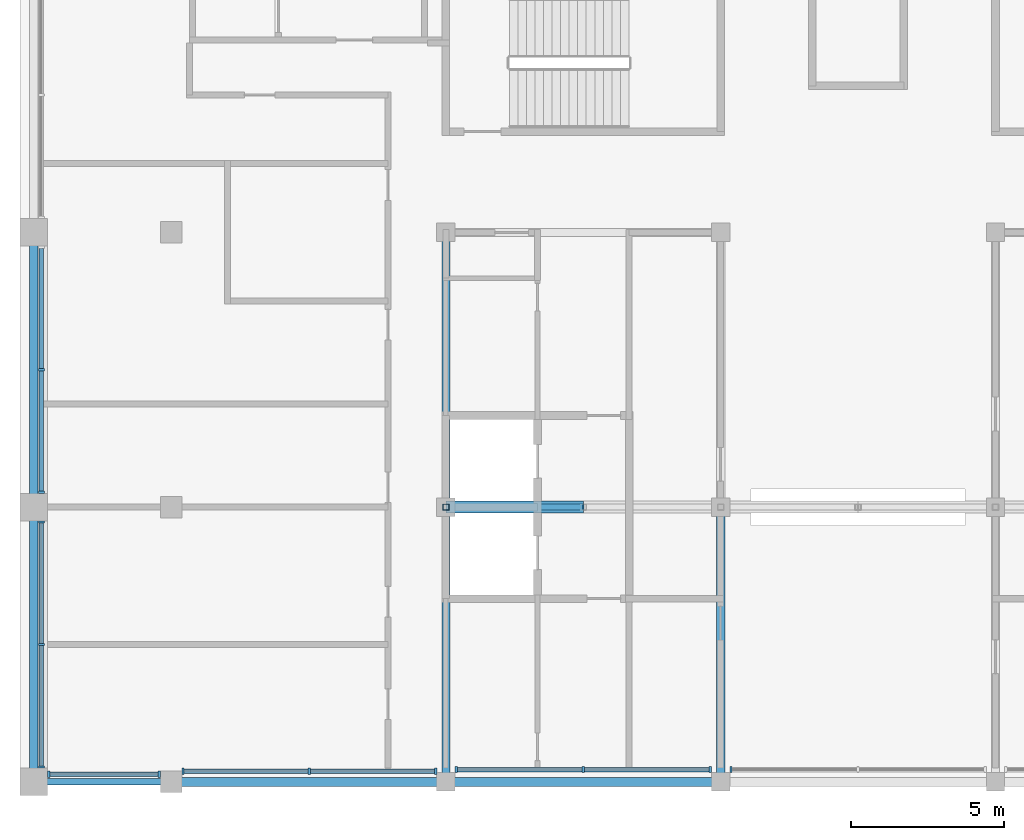
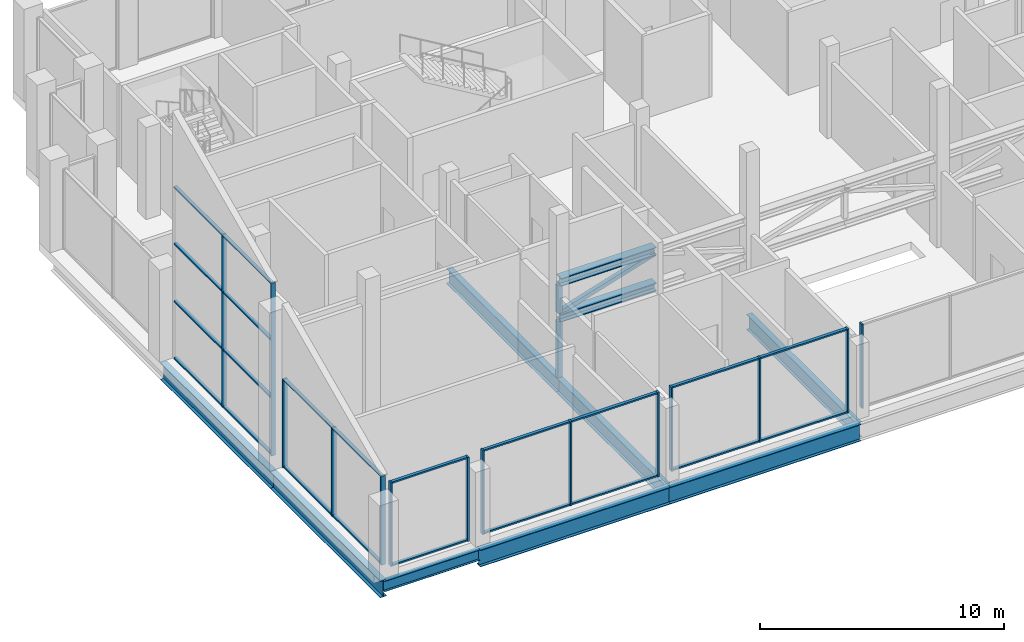
# One storey, part 2 of 14: 41 members, 8 beams, 6 elements without a shape of their own.
"""IFC4 building model written with IfcOpenShell, lengths in metres."""

from ifc_helpers import new_model, si_unit, direction, frame, origin, origin_2d, place, context, subcontext, project, spatial, rectangle, hollow_rectangle, i_section, extrude, material, layer, layer_set, material_profile, profile_set, type_object, element, aggregate, save


model = new_model("IFC4")

# Units and contexts
model_context = context("Model", 3, precision=1e-05, world=origin(), true_north=direction((0.0, 1.0)))
body_context = subcontext(model_context, "Body", "Model", "MODEL_VIEW")
ifc_project = project(units=[si_unit("LENGTHUNIT", "METRE"), si_unit("AREAUNIT", "SQUARE_METRE"), si_unit("VOLUMEUNIT", "CUBIC_METRE"), si_unit("PLANEANGLEUNIT", "RADIAN"), si_unit("MASSUNIT", "GRAM", prefix="KILO")], contexts=[model_context])

# Site, building, storey
site_placement = place(None, origin())
site = spatial("IfcSite", under=ifc_project, at=site_placement, CompositionType="ELEMENT")
building_placement = place(site_placement, origin())
building = spatial("IfcBuilding", under=site, at=building_placement, Name="Corbelhall Arena Tower", CompositionType="ELEMENT")
storey_placement = place(building_placement, frame((0.0, 0.0, 376.0)))
storey = spatial("IfcBuildingStorey", under=building, at=storey_placement, Name="L81", CompositionType="ELEMENT", Elevation=376.0)

# Curtain wall, members
ifc_material_1 = material(Name="Aluminium black anodised", Category="aluminium")
ifc_layer = layer(ifc_material_1, 0.179931640625)
ifc_layer_set = layer_set([ifc_layer], Name="EV-CW3 Crown glazing")
curtain_wall_type = type_object("IfcCurtainWallType", Name="EV-CW3 Crown glazing", PredefinedType="NOTDEFINED", material=ifc_layer_set)
curtain_wall_1_placement = place(storey_placement, origin())
curtain_wall_1 = element("IfcCurtainWall", 1, at=curtain_wall_1_placement, inside=storey, type_object=curtain_wall_type, Name="Curtain wall CW3G", PredefinedType="NOTDEFINED")
ifc_material_profile_1 = material_profile(ifc_material_1, rectangle(XDim=0.199951171875, YDim=0.074951171875, at=origin_2d()))
ifc_profile_set_1 = profile_set([ifc_material_profile_1], Name="Aluminium black anodised")
member_type_1 = type_object("IfcMemberType", Name="EV-CW3-MULLION", PredefinedType="MULLION", material=ifc_profile_set_1)
member_1_placement = place(storey_placement, frame((-26.75, 4.5, 0.0), z_axis=(0.0, 0.0, 1.0), x_axis=(1.0, 0.0, 0.0)))
member_1 = element("IfcMember", 2, at=member_1_placement, type_object=member_type_1, Name="CW3G mullion 2", PredefinedType="MULLION", context=body_context, shape_type="SweptSolid", body=[
    extrude(rectangle(XDim=0.199951171875, YDim=0.074951171875, at=origin_2d()), origin(), (0.0, 0.0, 1.0), 8.633056640625),
])
member_2_placement = place(storey_placement, frame((-26.75, 0.487548828125, 0.0), z_axis=(0.0, 0.0, 1.0), x_axis=(1.0, 0.0, 0.0)))
member_2 = element("IfcMember", 3, at=member_2_placement, type_object=member_type_1, Name="CW3G mullion 3", PredefinedType="MULLION", context=body_context, shape_type="SweptSolid", body=[
    extrude(rectangle(XDim=0.199951171875, YDim=0.074951171875, at=origin_2d()), origin(), (0.0, 0.0, 1.0), 8.633056640625),
])

curtain_wall_2_placement = place(storey_placement, origin())
curtain_wall_2 = element("IfcCurtainWall", 4, at=curtain_wall_2_placement, inside=storey, type_object=curtain_wall_type, Name="Curtain wall CW3F", PredefinedType="NOTDEFINED")
member_3_placement = place(storey_placement, frame((-26.75, -0.487548828125, 0.0), z_axis=(0.0, 0.0, 1.0), x_axis=(1.0, 0.0, 0.0)))
member_3 = element("IfcMember", 5, at=member_3_placement, type_object=member_type_1, Name="CW3F mullion 1", PredefinedType="MULLION", context=body_context, shape_type="SweptSolid", body=[
    extrude(rectangle(XDim=0.199951171875, YDim=0.074951171875, at=origin_2d()), origin(), (0.0, 0.0, 1.0), 4.439453125),
])
member_4_placement = place(storey_placement, frame((-26.75, -4.5, 0.0), z_axis=(0.0, 0.0, 1.0), x_axis=(1.0, 0.0, 0.0)))
member_4 = element("IfcMember", 6, at=member_4_placement, type_object=member_type_1, Name="CW3F mullion 2", PredefinedType="MULLION", context=body_context, shape_type="SweptSolid", body=[
    extrude(rectangle(XDim=0.199951171875, YDim=0.074951171875, at=origin_2d()), origin(), (0.0, 0.0, 1.0), 4.439453125),
])
member_5_placement = place(storey_placement, frame((-26.75, -8.512451171875, 0.0), z_axis=(0.0, 0.0, 1.0), x_axis=(1.0, 0.0, 0.0)))
member_5 = element("IfcMember", 7, at=member_5_placement, type_object=member_type_1, Name="CW3F mullion 3", PredefinedType="MULLION", context=body_context, shape_type="SweptSolid", body=[
    extrude(rectangle(XDim=0.199951171875, YDim=0.074951171875, at=origin_2d()), origin(), (0.0, 0.0, 1.0), 4.439453125),
])

curtain_wall_3_placement = place(storey_placement, origin())
curtain_wall_3 = element("IfcCurtainWall", 8, at=curtain_wall_3_placement, inside=storey, type_object=curtain_wall_type, Name="Curtain wall CW3E", PredefinedType="NOTDEFINED")
member_6_placement = place(storey_placement, frame((-26.512451171875, -8.75, 0.0), z_axis=(0.0, 0.0, 1.0), x_axis=(0.0, 1.0, 0.0)))
member_6 = element("IfcMember", 9, at=member_6_placement, type_object=member_type_1, Name="CW3E mullion 1", PredefinedType="MULLION", context=body_context, shape_type="SweptSolid", body=[
    extrude(rectangle(XDim=0.199951171875, YDim=0.074951171875, at=origin_2d()), origin(), (0.0, 0.0, 1.0), 4.20654296875),
])
member_7_placement = place(storey_placement, frame((-22.887451171875, -8.75, 0.0), z_axis=(0.0, 0.0, 1.0), x_axis=(0.0, 1.0, 0.0)))
member_7 = element("IfcMember", 10, at=member_7_placement, type_object=member_type_1, Name="CW3E mullion 2", PredefinedType="MULLION", context=body_context, shape_type="SweptSolid", body=[
    extrude(rectangle(XDim=0.199951171875, YDim=0.074951171875, at=origin_2d()), origin(), (0.0, 0.0, 1.0), 4.20654296875),
])

curtain_wall_4_placement = place(storey_placement, origin())
curtain_wall_4 = element("IfcCurtainWall", 11, at=curtain_wall_4_placement, inside=storey, type_object=curtain_wall_type, Name="Curtain wall CW3H", PredefinedType="NOTDEFINED")
member_8_placement = place(storey_placement, frame((-22.112548828125, -8.64990234375, 0.0), z_axis=(0.0, 0.0, 1.0), x_axis=(0.0, 1.0, 0.0)))
member_8 = element("IfcMember", 12, at=member_8_placement, type_object=member_type_1, Name="CW3H mullion 1", PredefinedType="MULLION", context=body_context, shape_type="SweptSolid", body=[
    extrude(rectangle(XDim=0.199951171875, YDim=0.074951171875, at=origin_2d()), origin(), (0.0, 0.0, 1.0), 4.20654296875),
])
member_9_placement = place(storey_placement, frame((-17.97509765625, -8.64990234375, 0.0), z_axis=(0.0, 0.0, 1.0), x_axis=(0.0, 1.0, 0.0)))
member_9 = element("IfcMember", 13, at=member_9_placement, type_object=member_type_1, Name="CW3H mullion 2", PredefinedType="MULLION", context=body_context, shape_type="SweptSolid", body=[
    extrude(rectangle(XDim=0.199951171875, YDim=0.074951171875, at=origin_2d()), origin(), (0.0, 0.0, 1.0), 4.20654296875),
])
member_10_placement = place(storey_placement, frame((-13.83740234375, -8.64990234375, 0.0), z_axis=(0.0, 0.0, 1.0), x_axis=(0.0, 1.0, 0.0)))
member_10 = element("IfcMember", 14, at=member_10_placement, type_object=member_type_1, Name="CW3H mullion 3", PredefinedType="MULLION", context=body_context, shape_type="SweptSolid", body=[
    extrude(rectangle(XDim=0.199951171875, YDim=0.074951171875, at=origin_2d()), origin(), (0.0, 0.0, 1.0), 4.20654296875),
])

curtain_wall_5_placement = place(storey_placement, origin())
curtain_wall_5 = element("IfcCurtainWall", 15, at=curtain_wall_5_placement, inside=storey, type_object=curtain_wall_type, Name="Curtain wall CW3D", PredefinedType="NOTDEFINED")
member_11_placement = place(storey_placement, frame((-13.16259765625, -8.60009765625, 0.0), z_axis=(0.0, 0.0, 1.0), x_axis=(0.0, 1.0, 0.0)))
member_11 = element("IfcMember", 16, at=member_11_placement, type_object=member_type_1, Name="CW3D mullion 1", PredefinedType="MULLION", context=body_context, shape_type="SweptSolid", body=[
    extrude(rectangle(XDim=0.199951171875, YDim=0.074951171875, at=origin_2d()), origin(), (0.0, 0.0, 1.0), 4.20654296875),
])
member_12_placement = place(storey_placement, frame((-9.0, -8.60009765625, 0.0), z_axis=(0.0, 0.0, 1.0), x_axis=(0.0, 1.0, 0.0)))
member_12 = element("IfcMember", 17, at=member_12_placement, type_object=member_type_1, Name="CW3D mullion 2", PredefinedType="MULLION", context=body_context, shape_type="SweptSolid", body=[
    extrude(rectangle(XDim=0.199951171875, YDim=0.074951171875, at=origin_2d()), origin(), (0.0, 0.0, 1.0), 4.20654296875),
])
member_13_placement = place(storey_placement, frame((-4.83740234375, -8.60009765625, 0.0), z_axis=(0.0, 0.0, 1.0), x_axis=(0.0, 1.0, 0.0)))
member_13 = element("IfcMember", 18, at=member_13_placement, type_object=member_type_1, Name="CW3D mullion 3", PredefinedType="MULLION", context=body_context, shape_type="SweptSolid", body=[
    extrude(rectangle(XDim=0.199951171875, YDim=0.074951171875, at=origin_2d()), origin(), (0.0, 0.0, 1.0), 4.20654296875),
])

# Curtain wall, member
curtain_wall_6_placement = place(storey_placement, origin())
curtain_wall_6 = element("IfcCurtainWall", 19, at=curtain_wall_6_placement, inside=storey, type_object=curtain_wall_type, Name="Curtain wall CW3D", PredefinedType="NOTDEFINED")
member_14_placement = place(storey_placement, frame((-4.16259765625, -8.60009765625, 0.0), z_axis=(0.0, 0.0, 1.0), x_axis=(0.0, 1.0, 0.0)))
member_14 = element("IfcMember", 20, at=member_14_placement, type_object=member_type_1, Name="CW3D mullion 1", PredefinedType="MULLION", context=body_context, shape_type="SweptSolid", body=[
    extrude(rectangle(XDim=0.199951171875, YDim=0.074951171875, at=origin_2d()), origin(), (0.0, 0.0, 1.0), 4.20654296875),
])
aggregate(curtain_wall_6, [member_14])

# Member
ifc_material_profile_2 = material_profile(ifc_material_1, rectangle(XDim=0.14990234375, YDim=0.074951171875, at=origin_2d()))
ifc_profile_set_2 = profile_set([ifc_material_profile_2], Name="Aluminium black anodised")
member_type_2 = type_object("IfcMemberType", Name="EV-CW3-TRANSOM", PredefinedType="USERDEFINED", material=ifc_profile_set_2)
member_15_placement = place(storey_placement, frame((-26.75, 8.47509765625, 0.03759765625), z_axis=(0.0, -1.0, 0.0), x_axis=(1.0, 0.0, 0.0)))
member_15 = element("IfcMember", 21, at=member_15_placement, type_object=member_type_2, Name="CW3G transom 1.1", ObjectType="transom", PredefinedType="USERDEFINED", context=body_context, shape_type="SweptSolid", body=[
    extrude(rectangle(XDim=0.14990234375, YDim=0.074951171875, at=origin_2d()), origin(), (0.0, 0.0, 1.0), 3.9375),
])

member_16_placement = place(storey_placement, frame((-26.75, 8.47509765625, 2.877685546875), z_axis=(0.0, -1.0, 0.0), x_axis=(1.0, 0.0, 0.0)))
member_16 = element("IfcMember", 22, at=member_16_placement, type_object=member_type_2, Name="CW3G transom 1.2", ObjectType="transom", PredefinedType="USERDEFINED", context=body_context, shape_type="SweptSolid", body=[
    extrude(rectangle(XDim=0.14990234375, YDim=0.074951171875, at=origin_2d()), origin(), (0.0, 0.0, 1.0), 3.9375),
])

member_17_placement = place(storey_placement, frame((-26.75, 8.47509765625, 5.75537109375), z_axis=(0.0, -1.0, 0.0), x_axis=(1.0, 0.0, 0.0)))
member_17 = element("IfcMember", 23, at=member_17_placement, type_object=member_type_2, Name="CW3G transom 1.3", ObjectType="transom", PredefinedType="USERDEFINED", context=body_context, shape_type="SweptSolid", body=[
    extrude(rectangle(XDim=0.14990234375, YDim=0.074951171875, at=origin_2d()), origin(), (0.0, 0.0, 1.0), 3.9375),
])

member_18_placement = place(storey_placement, frame((-26.75, 8.47509765625, 8.595458984375), z_axis=(0.0, -1.0, 0.0), x_axis=(1.0, 0.0, 0.0)))
member_18 = element("IfcMember", 24, at=member_18_placement, type_object=member_type_2, Name="CW3G transom 1.4", ObjectType="transom", PredefinedType="USERDEFINED", context=body_context, shape_type="SweptSolid", body=[
    extrude(rectangle(XDim=0.14990234375, YDim=0.074951171875, at=origin_2d()), origin(), (0.0, 0.0, 1.0), 3.9375),
])

member_19_placement = place(storey_placement, frame((-26.75, 4.46240234375, 0.03759765625), z_axis=(0.0, -1.0, 0.0), x_axis=(1.0, 0.0, 0.0)))
member_19 = element("IfcMember", 25, at=member_19_placement, type_object=member_type_2, Name="CW3G transom 2.1", ObjectType="transom", PredefinedType="USERDEFINED", context=body_context, shape_type="SweptSolid", body=[
    extrude(rectangle(XDim=0.14990234375, YDim=0.074951171875, at=origin_2d()), origin(), (0.0, 0.0, 1.0), 3.9375),
])

member_20_placement = place(storey_placement, frame((-26.75, 4.46240234375, 2.877685546875), z_axis=(0.0, -1.0, 0.0), x_axis=(1.0, 0.0, 0.0)))
member_20 = element("IfcMember", 26, at=member_20_placement, type_object=member_type_2, Name="CW3G transom 2.2", ObjectType="transom", PredefinedType="USERDEFINED", context=body_context, shape_type="SweptSolid", body=[
    extrude(rectangle(XDim=0.14990234375, YDim=0.074951171875, at=origin_2d()), origin(), (0.0, 0.0, 1.0), 3.9375),
])

member_21_placement = place(storey_placement, frame((-26.75, 4.46240234375, 5.75537109375), z_axis=(0.0, -1.0, 0.0), x_axis=(1.0, 0.0, 0.0)))
member_21 = element("IfcMember", 27, at=member_21_placement, type_object=member_type_2, Name="CW3G transom 2.3", ObjectType="transom", PredefinedType="USERDEFINED", context=body_context, shape_type="SweptSolid", body=[
    extrude(rectangle(XDim=0.14990234375, YDim=0.074951171875, at=origin_2d()), origin(), (0.0, 0.0, 1.0), 3.9375),
])

member_22_placement = place(storey_placement, frame((-26.75, 4.46240234375, 8.595458984375), z_axis=(0.0, -1.0, 0.0), x_axis=(1.0, 0.0, 0.0)))
member_22 = element("IfcMember", 28, at=member_22_placement, type_object=member_type_2, Name="CW3G transom 2.4", ObjectType="transom", PredefinedType="USERDEFINED", context=body_context, shape_type="SweptSolid", body=[
    extrude(rectangle(XDim=0.14990234375, YDim=0.074951171875, at=origin_2d()), origin(), (0.0, 0.0, 1.0), 3.9375),
])

aggregate(curtain_wall_1, [member_1, member_2, member_15, member_16, member_17, member_18, member_19, member_20, member_21, member_22])

member_23_placement = place(storey_placement, frame((-26.75, -0.52490234375, 0.03759765625), z_axis=(0.0, -1.0, 0.0), x_axis=(1.0, 0.0, 0.0)))
member_23 = element("IfcMember", 29, at=member_23_placement, type_object=member_type_2, Name="CW3F transom 1.1", ObjectType="transom", PredefinedType="USERDEFINED", context=body_context, shape_type="SweptSolid", body=[
    extrude(rectangle(XDim=0.14990234375, YDim=0.074951171875, at=origin_2d()), origin(), (0.0, 0.0, 1.0), 3.9375),
])

member_24_placement = place(storey_placement, frame((-26.75, -0.52490234375, 4.40185546875), z_axis=(0.0, -1.0, 0.0), x_axis=(1.0, 0.0, 0.0)))
member_24 = element("IfcMember", 30, at=member_24_placement, type_object=member_type_2, Name="CW3F transom 1.2", ObjectType="transom", PredefinedType="USERDEFINED", context=body_context, shape_type="SweptSolid", body=[
    extrude(rectangle(XDim=0.14990234375, YDim=0.074951171875, at=origin_2d()), origin(), (0.0, 0.0, 1.0), 3.9375),
])

member_25_placement = place(storey_placement, frame((-26.75, -4.53759765625, 0.03759765625), z_axis=(0.0, -1.0, 0.0), x_axis=(1.0, 0.0, 0.0)))
member_25 = element("IfcMember", 31, at=member_25_placement, type_object=member_type_2, Name="CW3F transom 2.1", ObjectType="transom", PredefinedType="USERDEFINED", context=body_context, shape_type="SweptSolid", body=[
    extrude(rectangle(XDim=0.14990234375, YDim=0.074951171875, at=origin_2d()), origin(), (0.0, 0.0, 1.0), 3.9375),
])

member_26_placement = place(storey_placement, frame((-26.75, -4.53759765625, 4.40185546875), z_axis=(0.0, -1.0, 0.0), x_axis=(1.0, 0.0, 0.0)))
member_26 = element("IfcMember", 32, at=member_26_placement, type_object=member_type_2, Name="CW3F transom 2.2", ObjectType="transom", PredefinedType="USERDEFINED", context=body_context, shape_type="SweptSolid", body=[
    extrude(rectangle(XDim=0.14990234375, YDim=0.074951171875, at=origin_2d()), origin(), (0.0, 0.0, 1.0), 3.9375),
])

aggregate(curtain_wall_2, [member_3, member_4, member_5, member_23, member_24, member_25, member_26])

member_27_placement = place(storey_placement, frame((-26.47509765625, -8.75, 0.03759765625), z_axis=(1.0, 0.0, 0.0), x_axis=(0.0, 1.0, 0.0)))
member_27 = element("IfcMember", 33, at=member_27_placement, type_object=member_type_2, Name="CW3E transom 1.1", ObjectType="transom", PredefinedType="USERDEFINED", context=body_context, shape_type="SweptSolid", body=[
    extrude(rectangle(XDim=0.14990234375, YDim=0.074951171875, at=origin_2d()), origin(), (0.0, 0.0, 1.0), 3.550048828125),
])

member_28_placement = place(storey_placement, frame((-26.47509765625, -8.75, 4.1689453125), z_axis=(1.0, 0.0, 0.0), x_axis=(0.0, 1.0, 0.0)))
member_28 = element("IfcMember", 34, at=member_28_placement, type_object=member_type_2, Name="CW3E transom 1.2", ObjectType="transom", PredefinedType="USERDEFINED", context=body_context, shape_type="SweptSolid", body=[
    extrude(rectangle(XDim=0.14990234375, YDim=0.074951171875, at=origin_2d()), origin(), (0.0, 0.0, 1.0), 3.550048828125),
])

aggregate(curtain_wall_3, [member_6, member_7, member_27, member_28])

member_29_placement = place(storey_placement, frame((-22.074951171875, -8.64990234375, 0.03759765625), z_axis=(1.0, 0.0, 0.0), x_axis=(0.0, 1.0, 0.0)))
member_29 = element("IfcMember", 35, at=member_29_placement, type_object=member_type_2, Name="CW3H transom 1.1", ObjectType="transom", PredefinedType="USERDEFINED", context=body_context, shape_type="SweptSolid", body=[
    extrude(rectangle(XDim=0.14990234375, YDim=0.074951171875, at=origin_2d()), origin(), (0.0, 0.0, 1.0), 4.0625),
])

member_30_placement = place(storey_placement, frame((-22.074951171875, -8.64990234375, 4.1689453125), z_axis=(1.0, 0.0, 0.0), x_axis=(0.0, 1.0, 0.0)))
member_30 = element("IfcMember", 36, at=member_30_placement, type_object=member_type_2, Name="CW3H transom 1.2", ObjectType="transom", PredefinedType="USERDEFINED", context=body_context, shape_type="SweptSolid", body=[
    extrude(rectangle(XDim=0.14990234375, YDim=0.074951171875, at=origin_2d()), origin(), (0.0, 0.0, 1.0), 4.0625),
])

member_31_placement = place(storey_placement, frame((-17.9375, -8.64990234375, 0.03759765625), z_axis=(1.0, 0.0, 0.0), x_axis=(0.0, 1.0, 0.0)))
member_31 = element("IfcMember", 37, at=member_31_placement, type_object=member_type_2, Name="CW3H transom 2.1", ObjectType="transom", PredefinedType="USERDEFINED", context=body_context, shape_type="SweptSolid", body=[
    extrude(rectangle(XDim=0.14990234375, YDim=0.074951171875, at=origin_2d()), origin(), (0.0, 0.0, 1.0), 4.0625),
])

member_32_placement = place(storey_placement, frame((-17.9375, -8.64990234375, 4.1689453125), z_axis=(1.0, 0.0, 0.0), x_axis=(0.0, 1.0, 0.0)))
member_32 = element("IfcMember", 38, at=member_32_placement, type_object=member_type_2, Name="CW3H transom 2.2", ObjectType="transom", PredefinedType="USERDEFINED", context=body_context, shape_type="SweptSolid", body=[
    extrude(rectangle(XDim=0.14990234375, YDim=0.074951171875, at=origin_2d()), origin(), (0.0, 0.0, 1.0), 4.0625),
])

aggregate(curtain_wall_4, [member_8, member_9, member_10, member_29, member_30, member_31, member_32])

member_33_placement = place(storey_placement, frame((-13.125, -8.60009765625, 0.03759765625), z_axis=(1.0, 0.0, 0.0), x_axis=(0.0, 1.0, 0.0)))
member_33 = element("IfcMember", 39, at=member_33_placement, type_object=member_type_2, Name="CW3D transom 1.1", ObjectType="transom", PredefinedType="USERDEFINED", context=body_context, shape_type="SweptSolid", body=[
    extrude(rectangle(XDim=0.14990234375, YDim=0.074951171875, at=origin_2d()), origin(), (0.0, 0.0, 1.0), 4.08740234375),
])

member_34_placement = place(storey_placement, frame((-13.125, -8.60009765625, 4.1689453125), z_axis=(1.0, 0.0, 0.0), x_axis=(0.0, 1.0, 0.0)))
member_34 = element("IfcMember", 40, at=member_34_placement, type_object=member_type_2, Name="CW3D transom 1.2", ObjectType="transom", PredefinedType="USERDEFINED", context=body_context, shape_type="SweptSolid", body=[
    extrude(rectangle(XDim=0.14990234375, YDim=0.074951171875, at=origin_2d()), origin(), (0.0, 0.0, 1.0), 4.08740234375),
])

member_35_placement = place(storey_placement, frame((-8.96240234375, -8.60009765625, 0.03759765625), z_axis=(1.0, 0.0, 0.0), x_axis=(0.0, 1.0, 0.0)))
member_35 = element("IfcMember", 41, at=member_35_placement, type_object=member_type_2, Name="CW3D transom 2.1", ObjectType="transom", PredefinedType="USERDEFINED", context=body_context, shape_type="SweptSolid", body=[
    extrude(rectangle(XDim=0.14990234375, YDim=0.074951171875, at=origin_2d()), origin(), (0.0, 0.0, 1.0), 4.08740234375),
])

member_36_placement = place(storey_placement, frame((-8.96240234375, -8.60009765625, 4.1689453125), z_axis=(1.0, 0.0, 0.0), x_axis=(0.0, 1.0, 0.0)))
member_36 = element("IfcMember", 42, at=member_36_placement, type_object=member_type_2, Name="CW3D transom 2.2", ObjectType="transom", PredefinedType="USERDEFINED", context=body_context, shape_type="SweptSolid", body=[
    extrude(rectangle(XDim=0.14990234375, YDim=0.074951171875, at=origin_2d()), origin(), (0.0, 0.0, 1.0), 4.08740234375),
])

aggregate(curtain_wall_5, [member_11, member_12, member_13, member_33, member_34, member_35, member_36])

# Beams
ifc_material_2 = material(Name="Steel ASTM A992 Gr50", Category="steel")
ifc_material_profile_3 = material_profile(ifc_material_2, i_section(OverallWidth=0.2666015625, OverallDepth=0.761962890625, WebThickness=0.014404296875, FlangeThickness=0.021484375, at=origin_2d()))
ifc_profile_set_3 = profile_set([ifc_material_profile_3], Name="Steel ASTM A992 Gr50")
beam_type_1 = type_object("IfcBeamType", Name="ST-BEAM-W30x116", PredefinedType="BEAM", material=ifc_profile_set_3)
for number, where, z_axis, x_axis, name in (
    (43, (-13.5, -9.0, -0.781494140625), (0.0, 1.0, 0.0), (-1.0, 0.0, 0.0), "Beam CEW 1"),
    (44, (-13.5, 0.0, -0.781494140625), (0.0, 1.0, 0.0), (-1.0, 0.0, 0.0), "Beam CEW 2"),
    (45, (-4.5, -9.0, -0.781494140625), (0.0, 1.0, 0.0), (-1.0, 0.0, 0.0), "Beam CEW 3"),
):
    element("IfcBeam", number, at=place(storey_placement, frame(where, z_axis=z_axis, x_axis=x_axis)), inside=storey, type_object=beam_type_1, Name=name, PredefinedType="BEAM", context=body_context, shape_type="SweptSolid", body=[
        extrude(i_section(OverallWidth=0.2666015625, OverallDepth=0.761962890625, WebThickness=0.014404296875, FlangeThickness=0.021484375, at=origin_2d()), origin(), (0.0, 0.0, 1.0), 9.0),
    ])

# Members
ifc_material_profile_4 = material_profile(ifc_material_2, i_section(OverallWidth=0.398681640625, OverallDepth=0.393798828125, WebThickness=0.022705078125, FlangeThickness=0.03662109375, at=origin_2d()))
ifc_profile_set_4 = profile_set([ifc_material_profile_4], Name="Steel ASTM A992 Gr50")
member_type_3 = type_object("IfcMemberType", Name="ST-CHORD-W14x193", PredefinedType="CHORD", material=ifc_profile_set_4)
for number, where, z_axis, x_axis, name in (
    (46, (-13.5, 0.0, 2.616943359375), (1.0, 0.0, 0.0), (0.0, 1.0, 0.0), "Damper truss chord BC 1"),
    (47, (-13.5, 0.0, 4.40283203125), (1.0, 0.0, 0.0), (0.0, 1.0, 0.0), "Damper truss chord TC 1"),
):
    element("IfcMember", number, at=place(storey_placement, frame(where, z_axis=z_axis, x_axis=x_axis)), inside=storey, type_object=member_type_3, Name=name, PredefinedType="CHORD", context=body_context, shape_type="SweptSolid", body=[
        extrude(i_section(OverallWidth=0.398681640625, OverallDepth=0.393798828125, WebThickness=0.022705078125, FlangeThickness=0.03662109375, at=origin_2d()), origin(), (0.0, 0.0, 1.0), 4.5),
    ])
ifc_material_3 = material(Name="Steel ASTM A500 Gr C", Category="steel")
ifc_material_profile_5 = material_profile(ifc_material_3, hollow_rectangle(XDim=0.203125, YDim=0.203125, WallThickness=0.0087890625, at=origin_2d()))
ifc_profile_set_5 = profile_set([ifc_material_profile_5], Name="Steel ASTM A500 Gr C")
member_type_4 = type_object("IfcMemberType", Name="ST-POST-HSS8x8x3/8", PredefinedType="POST", material=ifc_profile_set_5)
member_37_placement = place(storey_placement, frame((-13.5, 0.0, -0.400390625), z_axis=(0.0, 0.0, 1.0), x_axis=(1.0, 0.0, 0.0)))
element("IfcMember", 48, at=member_37_placement, inside=storey, type_object=member_type_4, Name="Damper truss foot post 1", PredefinedType="POST", context=body_context, shape_type="SweptSolid", body=[
    extrude(hollow_rectangle(XDim=0.203125, YDim=0.203125, WallThickness=0.0087890625, at=origin_2d()), origin(), (0.0, 0.0, 1.0), 2.8203125),
])
member_38_placement = place(storey_placement, frame((-13.5, 0.0, 2.813720703125), z_axis=(0.0, 0.0, 1.0), x_axis=(1.0, 0.0, 0.0)))
element("IfcMember", 49, at=member_38_placement, inside=storey, type_object=member_type_4, Name="Damper truss post 1", PredefinedType="POST", context=body_context, shape_type="SweptSolid", body=[
    extrude(hollow_rectangle(XDim=0.203125, YDim=0.203125, WallThickness=0.0087890625, at=origin_2d()), origin(), (0.0, 0.0, 1.0), 1.39208984375),
])

# Beams
ifc_material_profile_6 = material_profile(ifc_material_2, i_section(OverallWidth=0.2099609375, OverallDepth=0.535888671875, WebThickness=0.010986328125, FlangeThickness=0.017333984375, at=origin_2d()))
ifc_profile_set_6 = profile_set([ifc_material_profile_6], Name="Steel ASTM A992 Gr50")
beam_type_2 = type_object("IfcBeamType", Name="ST-SPANDREL-W21x68", PredefinedType="SPANDREL", material=ifc_profile_set_6)
beam_placement = place(storey_placement, frame((-22.5, -9.0, -0.66845703125), z_axis=(-1.0, 0.0, 0.0), x_axis=(0.0, -1.0, 0.0)))
element("IfcBeam", 50, at=beam_placement, inside=storey, type_object=beam_type_2, Name="Beam SP 2", PredefinedType="SPANDREL", context=body_context, shape_type="SweptSolid", body=[
    extrude(i_section(OverallWidth=0.2099609375, OverallDepth=0.535888671875, WebThickness=0.010986328125, FlangeThickness=0.017333984375, at=origin_2d()), origin(), (0.0, 0.0, 1.0), 4.5),
])
ifc_material_profile_7 = material_profile(ifc_material_2, i_section(OverallWidth=0.2919921875, OverallDepth=0.845703125, WebThickness=0.015380859375, FlangeThickness=0.0244140625, at=origin_2d()))
ifc_profile_set_7 = profile_set([ifc_material_profile_7], Name="Steel ASTM A992 Gr50")
beam_type_3 = type_object("IfcBeamType", Name="ST-SPANDREL-W33x141", PredefinedType="SPANDREL", material=ifc_profile_set_7)
for number, where, z_axis, x_axis, name in (
    (51, (-4.5, -9.0, -0.8232421875), (-1.0, 0.0, 0.0), (0.0, -1.0, 0.0), "Beam SP 5"),
    (52, (-13.5, -9.0, -0.8232421875), (-1.0, 0.0, 0.0), (0.0, -1.0, 0.0), "Beam SP 6"),
    (53, (-27.0, 0.0, -0.8232421875), (0.0, 1.0, 0.0), (-1.0, 0.0, 0.0), "Beam SP 21"),
    (54, (-27.0, -9.0, -0.8232421875), (0.0, 1.0, 0.0), (-1.0, 0.0, 0.0), "Beam SP 24"),
):
    element("IfcBeam", number, at=place(storey_placement, frame(where, z_axis=z_axis, x_axis=x_axis)), inside=storey, type_object=beam_type_3, Name=name, PredefinedType="SPANDREL", context=body_context, shape_type="SweptSolid", body=[
        extrude(i_section(OverallWidth=0.2919921875, OverallDepth=0.845703125, WebThickness=0.015380859375, FlangeThickness=0.0244140625, at=origin_2d()), origin(), (0.0, 0.0, 1.0), 9.0),
    ])

# Member
ifc_material_profile_8 = material_profile(ifc_material_3, hollow_rectangle(XDim=0.203125, YDim=0.203125, WallThickness=0.0087890625, at=origin_2d()))
ifc_profile_set_8 = profile_set([ifc_material_profile_8], Name="Steel ASTM A500 Gr C")
member_type_5 = type_object("IfcMemberType", Name="ST-STRUT-HSS8x8x3/8", PredefinedType="STRUT", material=ifc_profile_set_8)
member_39_placement = place(storey_placement, frame((-13.5, 0.0, 2.813720703125), z_axis=(0.955331890716, 0.0, 0.295535071661), x_axis=(0.0, 1.0, 0.0)))
element("IfcMember", 55, at=member_39_placement, inside=storey, type_object=member_type_5, Name="Damper truss diagonal 1", PredefinedType="STRUT", context=body_context, shape_type="SweptSolid", body=[
    extrude(hollow_rectangle(XDim=0.203125, YDim=0.203125, WallThickness=0.0087890625, at=origin_2d()), origin(), (0.0, 0.0, 1.0), 4.71044921875),
])

save(model, "model.ifc")
